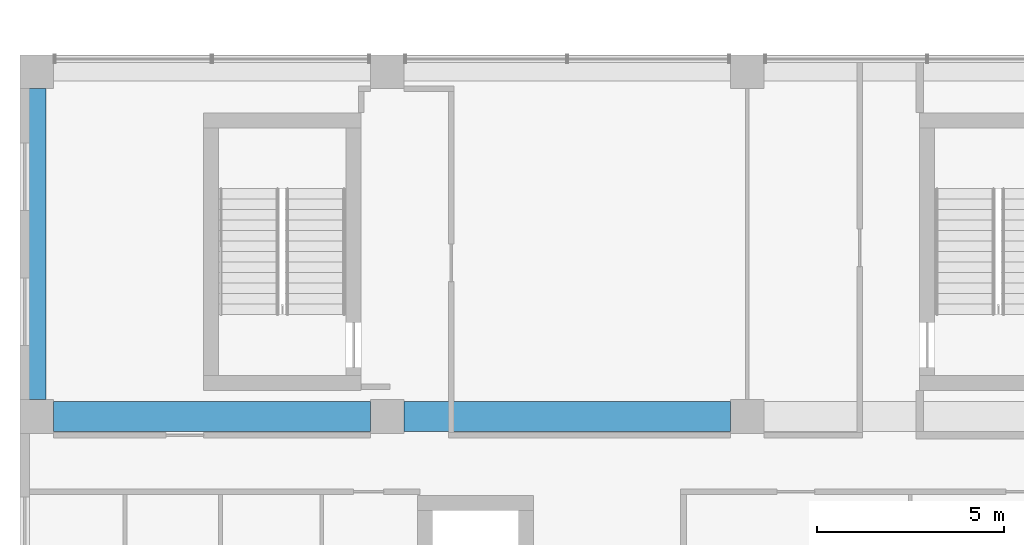
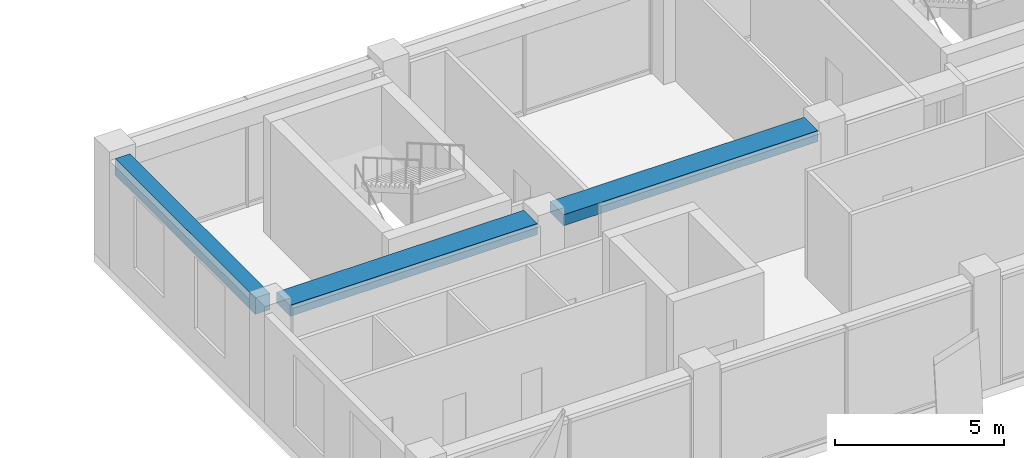
# One storey, part 20 of 36: 3 beams.
"""IFC4 building model written with IfcOpenShell, lengths in metres."""

from ifc_helpers import new_model, si_unit, direction, frame, origin, origin_2d, place, context, subcontext, project, spatial, rectangle, extrude, material, material_profile, profile_set, type_object, element, save


model = new_model("IFC4")

# Units and contexts
model_context = context("Model", 3, precision=1e-05, world=origin(), true_north=direction((0.0, 1.0)))
body_context = subcontext(model_context, "Body", "Model", "MODEL_VIEW")
ifc_project = project(units=[si_unit("LENGTHUNIT", "METRE"), si_unit("AREAUNIT", "SQUARE_METRE"), si_unit("VOLUMEUNIT", "CUBIC_METRE"), si_unit("PLANEANGLEUNIT", "RADIAN"), si_unit("MASSUNIT", "GRAM", prefix="KILO")], contexts=[model_context])

# Site, building, storey
site_placement = place(None, origin())
site = spatial("IfcSite", under=ifc_project, at=site_placement, CompositionType="ELEMENT")
building_placement = place(site_placement, origin())
building = spatial("IfcBuilding", under=site, at=building_placement, Name="Nzadi Deep Aquarium and Research Tower", CompositionType="ELEMENT")
storey_placement = place(building_placement, frame((0.0, 0.0, 44.5)))
storey = spatial("IfcBuildingStorey", under=building, at=storey_placement, Name="L08", CompositionType="ELEMENT", Elevation=44.5)

# Beams
ifc_material_1 = material(Name="Concrete C35/45", Category="concrete")
ifc_material_profile_1 = material_profile(ifc_material_1, rectangle(XDim=0.5, YDim=0.60009765625, at=origin_2d()))
ifc_profile_set_1 = profile_set([ifc_material_profile_1], Name="Concrete C35/45")
beam_type_1 = type_object("IfcBeamType", Name="RC 500x600", PredefinedType="BEAM", material=ifc_profile_set_1)
beam_1_placement = place(storey_placement, frame((0.25, 37.25, 3.60009765625), z_axis=(0.0, 1.0, 0.0), x_axis=(-1.0, 0.0, 0.0)))
element("IfcBeam", 1, at=beam_1_placement, inside=storey, type_object=beam_type_1, Name="B-Z1-L08-CA-2-4", PredefinedType="BEAM", context=body_context, shape_type="SweptSolid", body=[
    extrude(rectangle(XDim=0.5, YDim=0.60009765625, at=origin_2d()), origin(), (0.0, 0.0, 1.0), 8.300048828125),
])
ifc_material_2 = material(Name="Concrete C35/45", Category="concrete")
ifc_material_profile_2 = material_profile(ifc_material_2, rectangle(XDim=0.800048828125, YDim=0.39990234375, at=origin_2d()))
ifc_profile_set_2 = profile_set([ifc_material_profile_2], Name="Concrete C35/45")
beam_type_2 = type_object("IfcBeamType", Name="RC 800x400", PredefinedType="BEAM", material=ifc_profile_set_2)
beam_2_placement = place(storey_placement, frame((0.699951171875, 36.800048828125, 3.699951171875), z_axis=(1.0, 0.0, 0.0), x_axis=(0.0, 1.0, 0.0)))
element("IfcBeam", 2, at=beam_2_placement, inside=storey, type_object=beam_type_2, Name="B-Z1-L08-L5-1", PredefinedType="BEAM", context=body_context, shape_type="SweptSolid", body=[
    extrude(rectangle(XDim=0.800048828125, YDim=0.39990234375, at=origin_2d()), origin(), (0.0, 0.0, 1.0), 8.449951171875),
])
beam_3_placement = place(storey_placement, frame((10.050048828125, 36.800048828125, 3.699951171875), z_axis=(1.0, 0.0, 0.0), x_axis=(0.0, 1.0, 0.0)))
element("IfcBeam", 3, at=beam_3_placement, inside=storey, type_object=beam_type_2, Name="B-Z1-L08-L5-2", PredefinedType="BEAM", context=body_context, shape_type="SweptSolid", body=[
    extrude(rectangle(XDim=0.800048828125, YDim=0.39990234375, at=origin_2d()), origin(), (0.0, 0.0, 1.0), 8.699951171875),
])

save(model, "model.ifc")
